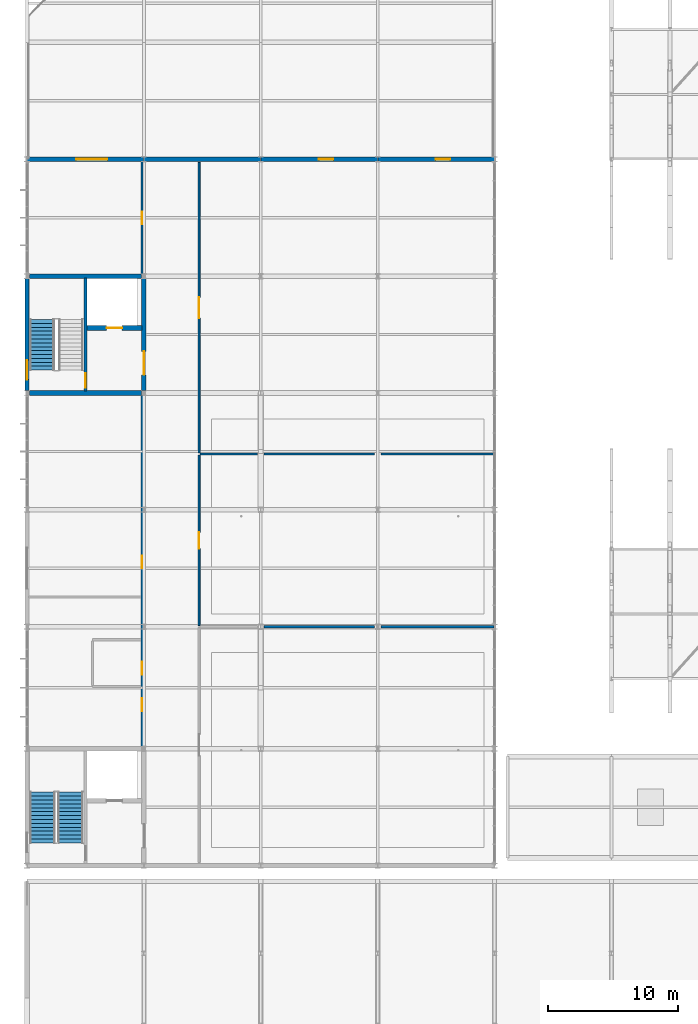
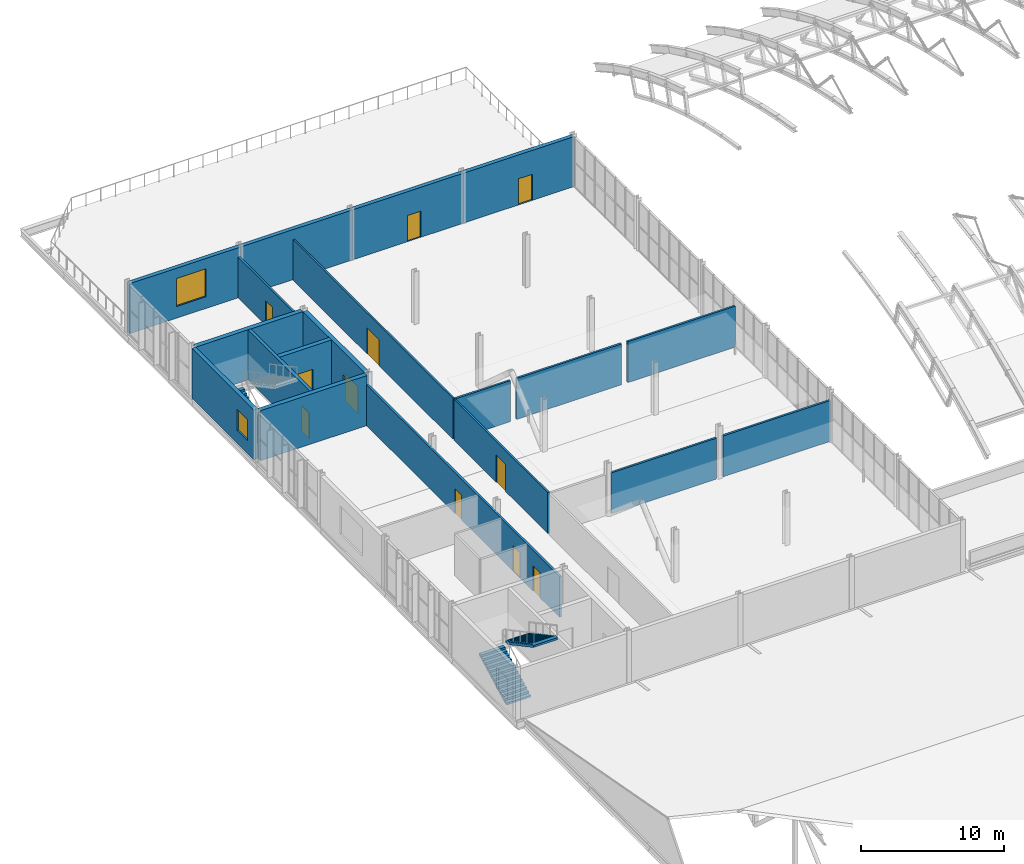
# One storey, part 86 of 103: 19 walls, 11 doors, 3 stair flights, 2 windows, 13 openings, 2 elements without a shape of their own.
"""IFC4 building model written with IfcOpenShell, lengths in metres."""

from ifc_helpers import new_model, si_unit, direction, frame, frame_2d, origin, place, context, subcontext, project, spatial, polyline, rectangle, outline, extrude, material, layer, layer_set, type_object, element, fill, aggregate, save


model = new_model("IFC4")

# Units and contexts
model_context = context("Model", 3, precision=1e-05, world=origin(), true_north=direction((0.0, 1.0)))
body_context = subcontext(model_context, "Body", "Model", "MODEL_VIEW")
ifc_project = project(units=[si_unit("LENGTHUNIT", "METRE"), si_unit("AREAUNIT", "SQUARE_METRE"), si_unit("VOLUMEUNIT", "CUBIC_METRE"), si_unit("PLANEANGLEUNIT", "RADIAN"), si_unit("MASSUNIT", "GRAM", prefix="KILO")], contexts=[model_context])

# Site, building, storey
site_placement = place(None, origin())
site = spatial("IfcSite", under=ifc_project, at=site_placement, CompositionType="ELEMENT")
building_placement = place(site_placement, origin())
building = spatial("IfcBuilding", under=site, at=building_placement, Name="Cazmaro Siding Exhibition Halls", CompositionType="ELEMENT")
storey_placement = place(building_placement, frame((0.0, 0.0, 16.5)))
storey = spatial("IfcBuildingStorey", under=building, at=storey_placement, Name="L03", CompositionType="ELEMENT", Elevation=16.5)

# Wall, opening, window
ifc_material_1 = material(Name="Concrete f'c 45 MPa", Category="concrete")
ifc_layer_1 = layer(ifc_material_1, 0.320068359375)
ifc_layer_set_1 = layer_set([ifc_layer_1], Name="Concrete f'c 45 MPa")
wall_type_1 = type_object("IfcWallType", Name="EW-01", PredefinedType="STANDARD", material=ifc_layer_set_1)
wall_1_placement = place(storey_placement, frame((0.0, 91.181884765625, 0.0), z_axis=(0.0, 0.0, 1.0), x_axis=(0.0, 1.0, 0.0)))
wall_1 = element("IfcWall", 1, at=wall_1_placement, inside=storey, type_object=wall_type_1, Name="West Wing Core Street Wall L03 EW-01 WL-E0295", PredefinedType="STANDARD", context=body_context, shape_type="SweptSolid", body=[
    extrude(rectangle(XDim=8.63623046875, YDim=0.320068359375, at=frame_2d((4.318115234375, 0.0))), origin(), (0.0, 0.0, 1.0), 4.280029296875),
])
opening_1_placement = place(wall_1_placement, frame((0.85009765625, 0.0, 1.10009765625)))
opening_1 = element("IfcOpeningElement", 2, at=opening_1_placement, cuts=wall_1, Name="Opening W-098", PredefinedType="OPENING", context=body_context, shape_type="SweptSolid", body=[
    extrude(rectangle(XDim=1.5, YDim=1.800048828125, at=frame_2d((0.75, 0.89990234375))), frame((0.0, 0.169921875, 0.0), z_axis=(0.0, -1.0, 0.0), x_axis=(1.0, 0.0, 0.0)), (0.0, 0.0, 1.0), 0.340087890625),
])
ifc_material_2 = material(Name="Thermally Broken Aluminum Low-E Window Unit", Category="aluminium")
window_type_1 = type_object("IfcWindowType", Name="WT-01", PartitioningType="SINGLE_PANEL", PredefinedType="WINDOW", material=ifc_material_2)
window_1_placement = place(opening_1_placement, origin())
window_1 = element("IfcWindow", 3, at=window_1_placement, inside=storey, type_object=window_type_1, Name="Window W-098 (WT-01)", OverallHeight=1.800048828125, OverallWidth=1.5, PartitioningType="SINGLE_PANEL", PredefinedType="WINDOW", context=body_context, shape_type="SweptSolid", body=[
    extrude(rectangle(XDim=1.5, YDim=1.800048828125, at=frame_2d((0.75, 0.89990234375))), frame((0.0, 0.030029296875, 0.0), z_axis=(0.0, -1.0, 0.0), x_axis=(1.0, 0.0, 0.0)), (0.0, 0.0, 1.0), 0.06005859375),
])
fill(opening_1, window_1)

wall_2_placement = place(storey_placement, frame((0.014892578125, 109.0, 0.0), z_axis=(0.0, 0.0, 1.0), x_axis=(1.0, 0.0, 0.0)))
wall_2 = element("IfcWall", 4, at=wall_2_placement, inside=storey, type_object=wall_type_1, Name="L03 North Terrace Wall EW-01 WL-E0300", PredefinedType="STANDARD", context=body_context, shape_type="SweptSolid", body=[
    extrude(rectangle(XDim=8.97021484375, YDim=0.320068359375, at=frame_2d((4.485107421875, 0.0))), origin(), (0.0, 0.0, 1.0), 4.280029296875),
])
opening_2_placement = place(wall_2_placement, frame((3.77001953125, 0.0, 1.0)))
opening_2 = element("IfcOpeningElement", 5, at=opening_2_placement, cuts=wall_2, Name="Opening W-099", PredefinedType="OPENING", context=body_context, shape_type="SweptSolid", body=[
    extrude(rectangle(XDim=2.39990234375, YDim=2.39990234375, at=frame_2d((1.199951171875, 1.199951171875))), frame((0.0, 0.169921875, 0.0), z_axis=(0.0, -1.0, 0.0), x_axis=(1.0, 0.0, 0.0)), (0.0, 0.0, 1.0), 0.340087890625),
])
ifc_material_3 = material(Name="Thermally Broken Aluminum Low-E Window Unit", Category="aluminium")
window_type_2 = type_object("IfcWindowType", Name="WT-07", PartitioningType="SINGLE_PANEL", PredefinedType="WINDOW", material=ifc_material_3)
window_2_placement = place(opening_2_placement, origin())
window_2 = element("IfcWindow", 6, at=window_2_placement, inside=storey, type_object=window_type_2, Name="Window W-099 (WT-07)", OverallHeight=2.39990234375, OverallWidth=2.39990234375, PartitioningType="SINGLE_PANEL", PredefinedType="WINDOW", context=body_context, shape_type="SweptSolid", body=[
    extrude(rectangle(XDim=2.39990234375, YDim=2.39990234375, at=frame_2d((1.199951171875, 1.199951171875))), frame((0.0, 0.030029296875, 0.0), z_axis=(0.0, -1.0, 0.0), x_axis=(1.0, 0.0, 0.0)), (0.0, 0.0, 1.0), 0.06005859375),
])
fill(opening_2, window_2)

# Wall
wall_3_placement = place(storey_placement, frame((9.014892578125, 109.0, 0.0), z_axis=(0.0, 0.0, 1.0), x_axis=(1.0, 0.0, 0.0)))
element("IfcWall", 7, at=wall_3_placement, inside=storey, type_object=wall_type_1, Name="L03 North Terrace Wall EW-01 WL-E0301", PredefinedType="STANDARD", context=body_context, shape_type="SweptSolid", body=[
    extrude(rectangle(XDim=8.97021484375, YDim=0.320068359375, at=frame_2d((4.485107421875, 0.0))), origin(), (0.0, 0.0, 1.0), 4.280029296875),
])

# Wall, opening, door
wall_4_placement = place(storey_placement, frame((18.014892578125, 109.0, 0.0), z_axis=(0.0, 0.0, 1.0), x_axis=(1.0, 0.0, 0.0)))
wall_4 = element("IfcWall", 8, at=wall_4_placement, inside=storey, type_object=wall_type_1, Name="L03 North Terrace Wall EW-01 WL-E0302", PredefinedType="STANDARD", context=body_context, shape_type="SweptSolid", body=[
    extrude(rectangle(XDim=8.97021484375, YDim=0.320068359375, at=frame_2d((4.485107421875, 0.0))), origin(), (0.0, 0.0, 1.0), 4.280029296875),
])
opening_3_placement = place(wall_4_placement, frame((4.449951171875, 0.0, 0.0)))
opening_3 = element("IfcOpeningElement", 9, at=opening_3_placement, cuts=wall_4, Name="Opening D-E072", PredefinedType="OPENING", context=body_context, shape_type="SweptSolid", body=[
    extrude(rectangle(XDim=1.1201171875, YDim=2.239990234375, at=frame_2d((0.56005859375, 1.1201171875))), frame((0.0, 0.169921875, 0.0), z_axis=(0.0, -1.0, 0.0), x_axis=(1.0, 0.0, 0.0)), (0.0, 0.0, 1.0), 0.340087890625),
])
ifc_material_4 = material(Name="Anodized Bronze Glazed Entrance Door", Category="aluminium")
door_type_1 = type_object("IfcDoorType", Name="ED-04", OperationType="NOTDEFINED", PredefinedType="DOOR", material=ifc_material_4)
door_1_placement = place(opening_3_placement, origin())
door_1 = element("IfcDoor", 10, at=door_1_placement, inside=storey, type_object=door_type_1, Name="Exterior door D-E072 (ED-04)", OperationType="SINGLE_SWING_RIGHT", OverallHeight=2.239990234375, OverallWidth=1.1201171875, PredefinedType="DOOR", context=body_context, shape_type="SweptSolid", body=[
    extrude(rectangle(XDim=1.1201171875, YDim=2.239990234375, at=frame_2d((0.56005859375, 1.1201171875))), frame((0.0, 0.02490234375, 0.0), z_axis=(0.0, -1.0, 0.0), x_axis=(1.0, 0.0, 0.0)), (0.0, 0.0, 1.0), 0.050048828125),
])
fill(opening_3, door_1)

wall_5_placement = place(storey_placement, frame((27.014892578125, 109.0, 0.0), z_axis=(0.0, 0.0, 1.0), x_axis=(1.0, 0.0, 0.0)))
wall_5 = element("IfcWall", 11, at=wall_5_placement, inside=storey, type_object=wall_type_1, Name="L03 North Terrace Wall EW-01 WL-E0303", PredefinedType="STANDARD", context=body_context, shape_type="SweptSolid", body=[
    extrude(rectangle(XDim=8.97021484375, YDim=0.320068359375, at=frame_2d((4.485107421875, 0.0))), origin(), (0.0, 0.0, 1.0), 4.280029296875),
])
opening_4_placement = place(wall_5_placement, frame((4.449951171875, 0.0, 0.0)))
opening_4 = element("IfcOpeningElement", 12, at=opening_4_placement, cuts=wall_5, Name="Opening D-E073", PredefinedType="OPENING", context=body_context, shape_type="SweptSolid", body=[
    extrude(rectangle(XDim=1.1201171875, YDim=2.239990234375, at=frame_2d((0.56005859375, 1.1201171875))), frame((0.0, 0.169921875, 0.0), z_axis=(0.0, -1.0, 0.0), x_axis=(1.0, 0.0, 0.0)), (0.0, 0.0, 1.0), 0.340087890625),
])
door_2_placement = place(opening_4_placement, origin())
door_2 = element("IfcDoor", 13, at=door_2_placement, inside=storey, type_object=door_type_1, Name="Exterior door D-E073 (ED-04)", OperationType="SINGLE_SWING_RIGHT", OverallHeight=2.239990234375, OverallWidth=1.1201171875, PredefinedType="DOOR", context=body_context, shape_type="SweptSolid", body=[
    extrude(rectangle(XDim=1.1201171875, YDim=2.239990234375, at=frame_2d((0.56005859375, 1.1201171875))), frame((0.0, 0.02490234375, 0.0), z_axis=(0.0, -1.0, 0.0), x_axis=(1.0, 0.0, 0.0)), (0.0, 0.0, 1.0), 0.050048828125),
])
fill(opening_4, door_2)

ifc_material_5 = material(Name="Fire-Rated Gypsum Board on Cold-Formed Steel Studs", Category="steel")
ifc_layer_2 = layer(ifc_material_5, 0.14501953125)
ifc_layer_set_2 = layer_set([ifc_layer_2], Name="Fire-Rated Gypsum Board on Cold-Formed Steel Studs")
wall_type_2 = type_object("IfcWallType", Name="PW-01", PredefinedType="PARTITIONING", material=ifc_layer_set_2)
wall_6_placement = place(storey_placement, frame((13.25, 73.080078125, 0.0), z_axis=(0.0, 0.0, 1.0), x_axis=(0.0, 1.0, 0.0)))
wall_6 = element("IfcWall", 14, at=wall_6_placement, inside=storey, type_object=wall_type_2, Name="West Wing East Corridor Wall L03 PW-01 WL-I0258", PredefinedType="PARTITIONING", context=body_context, shape_type="SweptSolid", body=[
    extrude(rectangle(XDim=13.139892578125, YDim=0.14501953125, at=frame_2d((6.56982421875, 0.0))), origin(), (0.0, 0.0, 1.0), 3.5),
])
opening_5_placement = place(wall_6_placement, frame((5.929931640625, 0.0, 0.0)))
opening_5 = element("IfcOpeningElement", 15, at=opening_5_placement, cuts=wall_6, Name="Opening D-I122", PredefinedType="OPENING", context=body_context, shape_type="SweptSolid", body=[
    extrude(rectangle(XDim=1.280029296875, YDim=2.340087890625, at=frame_2d((0.64013671875, 1.169921875))), frame((0.0, 0.08251953125, 0.0), z_axis=(0.0, -1.0, 0.0), x_axis=(1.0, 0.0, 0.0)), (0.0, 0.0, 1.0), 0.1650390625),
])
ifc_material_6 = material(Name="Fire-Rated Painted Hollow Metal Door", Category="steel")
door_type_2 = type_object("IfcDoorType", Name="ID-14", OperationType="NOTDEFINED", PredefinedType="DOOR", material=ifc_material_6)
door_3_placement = place(opening_5_placement, origin())
door_3 = element("IfcDoor", 16, at=door_3_placement, inside=storey, type_object=door_type_2, Name="Interior door D-I122 (ID-14)", OperationType="SINGLE_SWING_LEFT", OverallHeight=2.340087890625, OverallWidth=1.280029296875, PredefinedType="DOOR", context=body_context, shape_type="SweptSolid", body=[
    extrude(rectangle(XDim=1.280029296875, YDim=2.340087890625, at=frame_2d((0.64013671875, 1.169921875))), frame((0.0, 0.02490234375, 0.0), z_axis=(0.0, -1.0, 0.0), x_axis=(1.0, 0.0, 0.0)), (0.0, 0.0, 1.0), 0.050048828125),
])
fill(opening_5, door_3)

wall_7_placement = place(storey_placement, frame((13.25, 86.3798828125, 0.0), z_axis=(0.0, 0.0, 1.0), x_axis=(0.0, 1.0, 0.0)))
wall_7 = element("IfcWall", 17, at=wall_7_placement, inside=storey, type_object=wall_type_2, Name="West Wing East Corridor Wall L03 PW-01 WL-I0259", PredefinedType="PARTITIONING", context=body_context, shape_type="SweptSolid", body=[
    extrude(rectangle(XDim=22.3701171875, YDim=0.14501953125, at=frame_2d((11.18505859375, 0.0))), origin(), (0.0, 0.0, 1.0), 3.5),
])
opening_6_placement = place(wall_7_placement, frame((10.360107421875, 0.0, 0.0)))
opening_6 = element("IfcOpeningElement", 18, at=opening_6_placement, cuts=wall_7, Name="Opening D-I123", PredefinedType="OPENING", context=body_context, shape_type="SweptSolid", body=[
    extrude(rectangle(XDim=1.64990234375, YDim=2.25, at=frame_2d((0.824951171875, 1.125))), frame((0.0, 0.08251953125, 0.0), z_axis=(0.0, -1.0, 0.0), x_axis=(1.0, 0.0, 0.0)), (0.0, 0.0, 1.0), 0.1650390625),
])
ifc_material_7 = material(Name="Fire-Rated Painted Hollow Metal Door", Category="steel")
door_type_3 = type_object("IfcDoorType", Name="ID-05", OperationType="DOUBLE_DOOR_SINGLE_SWING", PredefinedType="DOOR", material=ifc_material_7)
door_4_placement = place(opening_6_placement, origin())
door_4 = element("IfcDoor", 19, at=door_4_placement, inside=storey, type_object=door_type_3, Name="Interior door D-I123 (ID-05)", OperationType="DOUBLE_DOOR_SINGLE_SWING", OverallHeight=2.25, OverallWidth=1.64990234375, PredefinedType="DOOR", context=body_context, shape_type="SweptSolid", body=[
    extrude(rectangle(XDim=1.64990234375, YDim=2.25, at=frame_2d((0.824951171875, 1.125))), frame((0.0, 0.02490234375, 0.0), z_axis=(0.0, -1.0, 0.0), x_axis=(1.0, 0.0, 0.0)), (0.0, 0.0, 1.0), 0.050048828125),
])
fill(opening_6, door_4)

# Walls
ifc_material_8 = material(Name="Moisture-Resistant Gypsum Board on Acoustic Steel Studs", Category="steel")
ifc_layer_3 = layer(ifc_material_8, 0.1650390625)
ifc_layer_set_3 = layer_set([ifc_layer_3], Name="Moisture-Resistant Gypsum Board on Acoustic Steel Studs")
wall_type_3 = type_object("IfcWallType", Name="PW-02", PredefinedType="PARTITIONING", material=ifc_layer_set_3)
wall_8_placement = place(storey_placement, frame((18.25, 73.0, 0.0), z_axis=(0.0, 0.0, 1.0), x_axis=(1.0, 0.0, 0.0)))
element("IfcWall", 20, at=wall_8_placement, inside=storey, type_object=wall_type_3, Name="West Wing East Room Divider L03 PW-02 WL-I0261", PredefinedType="PARTITIONING", context=body_context, shape_type="SweptSolid", body=[
    extrude(rectangle(XDim=8.5, YDim=0.1650390625, at=frame_2d((4.25, 0.0))), origin(), (0.0, 0.0, 1.0), 3.5),
])
wall_9_placement = place(storey_placement, frame((27.25, 73.0, 0.0), z_axis=(0.0, 0.0, 1.0), x_axis=(1.0, 0.0, 0.0)))
element("IfcWall", 21, at=wall_9_placement, inside=storey, type_object=wall_type_3, Name="West Wing East Room Divider L03 PW-02 WL-I0262", PredefinedType="PARTITIONING", context=body_context, shape_type="SweptSolid", body=[
    extrude(rectangle(XDim=8.68994140625, YDim=0.1650390625, at=frame_2d((4.344970703125, 0.0))), origin(), (0.0, 0.0, 1.0), 3.5),
])
wall_10_placement = place(storey_placement, frame((13.320068359375, 86.300048828125, 0.0), z_axis=(0.0, 0.0, 1.0), x_axis=(1.0, 0.0, 0.0)))
element("IfcWall", 22, at=wall_10_placement, inside=storey, type_object=wall_type_3, Name="West Wing East Room Divider L03 PW-02 WL-I0263", PredefinedType="PARTITIONING", context=body_context, shape_type="SweptSolid", body=[
    extrude(rectangle(XDim=4.429931640625, YDim=0.1650390625, at=frame_2d((2.21484375, 0.0))), origin(), (0.0, 0.0, 1.0), 3.5),
])
wall_11_placement = place(storey_placement, frame((18.25, 86.300048828125, 0.0), z_axis=(0.0, 0.0, 1.0), x_axis=(1.0, 0.0, 0.0)))
element("IfcWall", 23, at=wall_11_placement, inside=storey, type_object=wall_type_3, Name="West Wing East Room Divider L03 PW-02 WL-I0264", PredefinedType="PARTITIONING", context=body_context, shape_type="SweptSolid", body=[
    extrude(rectangle(XDim=8.5, YDim=0.1650390625, at=frame_2d((4.25, 0.0))), origin(), (0.0, 0.0, 1.0), 3.5),
])
wall_12_placement = place(storey_placement, frame((27.25, 86.300048828125, 0.0), z_axis=(0.0, 0.0, 1.0), x_axis=(1.0, 0.0, 0.0)))
element("IfcWall", 24, at=wall_12_placement, inside=storey, type_object=wall_type_3, Name="West Wing East Room Divider L03 PW-02 WL-I0265", PredefinedType="PARTITIONING", context=body_context, shape_type="SweptSolid", body=[
    extrude(rectangle(XDim=8.68994140625, YDim=0.1650390625, at=frame_2d((4.344970703125, 0.0))), origin(), (0.0, 0.0, 1.0), 3.5),
])

# Wall, openings, doors
wall_13_placement = place(storey_placement, frame((8.85009765625, 63.780029296875, 0.0), z_axis=(0.0, 0.0, 1.0), x_axis=(0.0, 1.0, 0.0)))
wall_13 = element("IfcWall", 25, at=wall_13_placement, inside=storey, type_object=wall_type_3, Name="West Wing West Service Wall L03 PW-02 WL-I0266", PredefinedType="PARTITIONING", context=body_context, shape_type="SweptSolid", body=[
    extrude(rectangle(XDim=27.0400390625, YDim=0.1650390625, at=frame_2d((13.52001953125, 0.0))), origin(), (0.0, 0.0, 1.0), 3.5),
])
opening_7_placement = place(wall_13_placement, frame((2.719970703125, 0.0, 0.0)))
opening_7 = element("IfcOpeningElement", 26, at=opening_7_placement, cuts=wall_13, Name="Opening D-I124", PredefinedType="OPENING", context=body_context, shape_type="SweptSolid", body=[
    extrude(rectangle(XDim=0.97998046875, YDim=2.14990234375, at=frame_2d((0.489990234375, 1.074951171875))), frame((0.0, 0.092529296875, 0.0), z_axis=(0.0, -1.0, 0.0), x_axis=(1.0, 0.0, 0.0)), (0.0, 0.0, 1.0), 0.18505859375),
])
opening_8_placement = place(wall_13_placement, frame((5.52001953125, 0.0, 0.0)))
opening_8 = element("IfcOpeningElement", 27, at=opening_8_placement, cuts=wall_13, Name="Opening D-I125", PredefinedType="OPENING", context=body_context, shape_type="SweptSolid", body=[
    extrude(rectangle(XDim=1.02001953125, YDim=2.159912109375, at=frame_2d((0.510009765625, 1.080078125))), frame((0.0, 0.092529296875, 0.0), z_axis=(0.0, -1.0, 0.0), x_axis=(1.0, 0.0, 0.0)), (0.0, 0.0, 1.0), 0.18505859375),
])
opening_9_placement = place(wall_13_placement, frame((13.719970703125, 0.0, 0.0)))
opening_9 = element("IfcOpeningElement", 28, at=opening_9_placement, cuts=wall_13, Name="Opening D-I126", PredefinedType="OPENING", context=body_context, shape_type="SweptSolid", body=[
    extrude(rectangle(XDim=0.949951171875, YDim=2.1201171875, at=frame_2d((0.47509765625, 1.06005859375))), frame((0.0, 0.092529296875, 0.0), z_axis=(0.0, -1.0, 0.0), x_axis=(1.0, 0.0, 0.0)), (0.0, 0.0, 1.0), 0.18505859375),
])
ifc_material_9 = material(Name="Fire-Rated Painted Hollow Metal Door", Category="steel")
door_type_4 = type_object("IfcDoorType", Name="ID-03", OperationType="NOTDEFINED", PredefinedType="DOOR", material=ifc_material_9)
door_5_placement = place(opening_7_placement, origin())
door_5 = element("IfcDoor", 29, at=door_5_placement, inside=storey, type_object=door_type_4, Name="Interior door D-I124 (ID-03)", OperationType="SINGLE_SWING_RIGHT", OverallHeight=2.14990234375, OverallWidth=0.97998046875, PredefinedType="DOOR", context=body_context, shape_type="SweptSolid", body=[
    extrude(rectangle(XDim=0.97998046875, YDim=2.14990234375, at=frame_2d((0.489990234375, 1.074951171875))), frame((0.0, 0.02490234375, 0.0), z_axis=(0.0, -1.0, 0.0), x_axis=(1.0, 0.0, 0.0)), (0.0, 0.0, 1.0), 0.050048828125),
])
fill(opening_7, door_5)
ifc_material_10 = material(Name="Fire-Rated Painted Hollow Metal Door", Category="steel")
door_type_5 = type_object("IfcDoorType", Name="ID-04", OperationType="NOTDEFINED", PredefinedType="DOOR", material=ifc_material_10)
door_6_placement = place(opening_9_placement, origin())
door_6 = element("IfcDoor", 30, at=door_6_placement, inside=storey, type_object=door_type_5, Name="Interior door D-I126 (ID-04)", OperationType="SINGLE_SWING_RIGHT", OverallHeight=2.1201171875, OverallWidth=0.949951171875, PredefinedType="DOOR", context=body_context, shape_type="SweptSolid", body=[
    extrude(rectangle(XDim=0.949951171875, YDim=2.1201171875, at=frame_2d((0.47509765625, 1.06005859375))), frame((0.0, 0.02490234375, 0.0), z_axis=(0.0, -1.0, 0.0), x_axis=(1.0, 0.0, 0.0)), (0.0, 0.0, 1.0), 0.050048828125),
])
fill(opening_9, door_6)
ifc_material_11 = material(Name="Fire-Rated Painted Hollow Metal Door", Category="steel")
door_type_6 = type_object("IfcDoorType", Name="ID-07", OperationType="NOTDEFINED", PredefinedType="DOOR", material=ifc_material_11)
door_7_placement = place(opening_8_placement, origin())
door_7 = element("IfcDoor", 31, at=door_7_placement, inside=storey, type_object=door_type_6, Name="Interior door D-I125 (ID-07)", OperationType="SINGLE_SWING_LEFT", OverallHeight=2.159912109375, OverallWidth=1.02001953125, PredefinedType="DOOR", context=body_context, shape_type="SweptSolid", body=[
    extrude(rectangle(XDim=1.02001953125, YDim=2.159912109375, at=frame_2d((0.510009765625, 1.080078125))), frame((0.0, 0.02490234375, 0.0), z_axis=(0.0, -1.0, 0.0), x_axis=(1.0, 0.0, 0.0)), (0.0, 0.0, 1.0), 0.050048828125),
])
fill(opening_8, door_7)

# Wall, opening, door
wall_14_placement = place(storey_placement, frame((8.85009765625, 100.179931640625, 0.0), z_axis=(0.0, 0.0, 1.0), x_axis=(0.0, 1.0, 0.0)))
wall_14 = element("IfcWall", 32, at=wall_14_placement, inside=storey, type_object=wall_type_3, Name="West Wing West Service Wall L03 PW-02 WL-I0267", PredefinedType="PARTITIONING", context=body_context, shape_type="SweptSolid", body=[
    extrude(rectangle(XDim=8.650146484375, YDim=0.1650390625, at=frame_2d((4.3251953125, 0.0))), origin(), (0.0, 0.0, 1.0), 3.5),
])
opening_10_placement = place(wall_14_placement, frame((3.824951171875, 0.0, 0.0)))
opening_10 = element("IfcOpeningElement", 33, at=opening_10_placement, cuts=wall_14, Name="Opening D-I127", PredefinedType="OPENING", context=body_context, shape_type="SweptSolid", body=[
    extrude(rectangle(XDim=0.949951171875, YDim=2.1201171875, at=frame_2d((0.47509765625, 1.06005859375))), frame((0.0, 0.092529296875, 0.0), z_axis=(0.0, -1.0, 0.0), x_axis=(1.0, 0.0, 0.0)), (0.0, 0.0, 1.0), 0.18505859375),
])
door_8_placement = place(opening_10_placement, origin())
door_8 = element("IfcDoor", 34, at=door_8_placement, inside=storey, type_object=door_type_5, Name="Interior door D-I127 (ID-04)", OperationType="SINGLE_SWING_LEFT", OverallHeight=2.1201171875, OverallWidth=0.949951171875, PredefinedType="DOOR", context=body_context, shape_type="SweptSolid", body=[
    extrude(rectangle(XDim=0.949951171875, YDim=2.1201171875, at=frame_2d((0.47509765625, 1.06005859375))), frame((0.0, 0.02490234375, 0.0), z_axis=(0.0, -1.0, 0.0), x_axis=(1.0, 0.0, 0.0)), (0.0, 0.0, 1.0), 0.050048828125),
])
fill(opening_10, door_8)

ifc_material_12 = material(Name="Concrete f'c 50 MPa", Category="concrete")
ifc_layer_4 = layer(ifc_material_12, 0.360107421875)
ifc_layer_set_4 = layer_set([ifc_layer_4], Name="Concrete f'c 50 MPa")
wall_type_4 = type_object("IfcWallType", Name="SW-01", PredefinedType="SHEAR", material=ifc_layer_set_4)
wall_15_placement = place(storey_placement, frame((9.0, 91.18310546875, 0.0), z_axis=(0.0, 0.0, 1.0), x_axis=(0.0, 1.0, 0.0)))
wall_15 = element("IfcWall", 35, at=wall_15_placement, inside=storey, type_object=wall_type_4, Name="Core C8 East Shear Wall SW-01 WL-I0114", PredefinedType="SHEAR", context=body_context, shape_type="SweptSolid", body=[
    extrude(rectangle(XDim=8.6337890625, YDim=0.360107421875, at=frame_2d((4.31689453125, 0.0))), origin(), (0.0, 0.0, 1.0), 4.280029296875),
])
opening_11_placement = place(wall_15_placement, frame((1.217041015625, 0.0, 0.0)))
opening_11 = element("IfcOpeningElement", 36, at=opening_11_placement, cuts=wall_15, Name="Opening D-I056", PredefinedType="OPENING", context=body_context, shape_type="SweptSolid", body=[
    extrude(rectangle(XDim=1.800048828125, YDim=2.300048828125, at=frame_2d((0.89990234375, 1.14990234375))), frame((0.0, 0.18994140625, 0.0), z_axis=(0.0, -1.0, 0.0), x_axis=(1.0, 0.0, 0.0)), (0.0, 0.0, 1.0), 0.380126953125),
])
ifc_material_13 = material(Name="Fire-Rated Painted Hollow Metal Door", Category="steel")
door_type_7 = type_object("IfcDoorType", Name="ID-02", OperationType="DOUBLE_DOOR_SINGLE_SWING", PredefinedType="DOOR", material=ifc_material_13)
door_9_placement = place(opening_11_placement, origin())
door_9 = element("IfcDoor", 37, at=door_9_placement, inside=storey, type_object=door_type_7, Name="Interior door D-I056 (ID-02)", OperationType="DOUBLE_DOOR_SINGLE_SWING", OverallHeight=2.300048828125, OverallWidth=1.800048828125, PredefinedType="DOOR", context=body_context, shape_type="SweptSolid", body=[
    extrude(rectangle(XDim=1.800048828125, YDim=2.300048828125, at=frame_2d((0.89990234375, 1.14990234375))), frame((0.0, 0.02490234375, 0.0), z_axis=(0.0, -1.0, 0.0), x_axis=(1.0, 0.0, 0.0)), (0.0, 0.0, 1.0), 0.050048828125),
])
fill(opening_11, door_9)

# Walls
for number, where, z_axis, x_axis, name in (
    (38, (0.19091796875, 91.0, 0.0), (0.0, 0.0, 1.0), (1.0, 0.0, 0.0), "Core C8 South Shear Wall SW-01 WL-I0115"),
    (39, (0.19091796875, 100.0, 0.0), (0.0, 0.0, 1.0), (1.0, 0.0, 0.0), "Core C8 North Shear Wall SW-01 WL-I0116"),
):
    element("IfcWall", number, at=place(storey_placement, frame(where, z_axis=z_axis, x_axis=x_axis)), inside=storey, type_object=wall_type_4, Name=name, PredefinedType="SHEAR", context=body_context, shape_type="SweptSolid", body=[
        extrude(rectangle(XDim=8.6181640625, YDim=0.360107421875, at=frame_2d((4.30908203125, 0.0))), origin(), (0.0, 0.0, 1.0), 4.280029296875),
    ])

# Wall, opening, door
wall_16_placement = place(storey_placement, frame((4.614990234375, 96.0, 0.0), z_axis=(0.0, 0.0, 1.0), x_axis=(1.0, 0.0, 0.0)))
wall_16 = element("IfcWall", 40, at=wall_16_placement, inside=storey, type_object=wall_type_4, Name="Core C8 Lift Shaft Wall SW-01 WL-I0118", PredefinedType="SHEAR", context=body_context, shape_type="SweptSolid", body=[
    extrude(rectangle(XDim=4.219970703125, YDim=0.360107421875, at=frame_2d((2.10986328125, 0.0))), origin(), (0.0, 0.0, 1.0), 4.280029296875),
])
opening_12_placement = place(wall_16_placement, frame((1.510009765625, 0.0, 0.0)))
opening_12 = element("IfcOpeningElement", 41, at=opening_12_placement, cuts=wall_16, Name="Opening LD-028", PredefinedType="OPENING", context=body_context, shape_type="SweptSolid", body=[
    extrude(rectangle(XDim=1.199951171875, YDim=2.300048828125, at=frame_2d((0.60009765625, 1.14990234375))), frame((0.0, 0.18994140625, 0.0), z_axis=(0.0, -1.0, 0.0), x_axis=(1.0, 0.0, 0.0)), (0.0, 0.0, 1.0), 0.380126953125),
])
ifc_material_14 = material(Name="Stainless Steel Elevator Landing Door", Category="steel")
door_type_8 = type_object("IfcDoorType", Name="LD-01", OperationType="SLIDING_TO_LEFT", PredefinedType="DOOR", material=ifc_material_14)
door_10_placement = place(opening_12_placement, origin())
door_10 = element("IfcDoor", 42, at=door_10_placement, inside=storey, type_object=door_type_8, Name="Interior door LD-028 (LD-01)", OperationType="SLIDING_TO_RIGHT", OverallHeight=2.300048828125, OverallWidth=1.199951171875, PredefinedType="DOOR", context=body_context, shape_type="SweptSolid", body=[
    extrude(rectangle(XDim=1.199951171875, YDim=2.300048828125, at=frame_2d((0.60009765625, 1.14990234375))), frame((0.0, 0.02490234375, 0.0), z_axis=(0.0, -1.0, 0.0), x_axis=(1.0, 0.0, 0.0)), (0.0, 0.0, 1.0), 0.050048828125),
])
fill(opening_12, door_10)

ifc_material_15 = material(Name="Concrete f'c 50 MPa", Category="concrete")
ifc_layer_5 = layer(ifc_material_15, 0.25)
ifc_layer_set_5 = layer_set([ifc_layer_5], Name="Concrete f'c 50 MPa")
wall_type_5 = type_object("IfcWallType", Name="SW-02", PredefinedType="SHEAR", material=ifc_layer_set_5)
wall_17_placement = place(storey_placement, frame((4.5, 91.1650390625, 0.0), z_axis=(0.0, 0.0, 1.0), x_axis=(0.0, 1.0, 0.0)))
wall_17 = element("IfcWall", 43, at=wall_17_placement, inside=storey, type_object=wall_type_5, Name="Core C8 Stair-Lobby Divider SW-02 WL-I0117", PredefinedType="SHEAR", context=body_context, shape_type="SweptSolid", body=[
    extrude(rectangle(XDim=8.669921875, YDim=0.25, at=frame_2d((4.3349609375, 0.0))), origin(), (0.0, 0.0, 1.0), 4.280029296875),
])
opening_13_placement = place(wall_17_placement, frame((0.25, 0.0, 0.0)))
opening_13 = element("IfcOpeningElement", 44, at=opening_13_placement, cuts=wall_17, Name="Opening D-I055", PredefinedType="OPENING", context=body_context, shape_type="SweptSolid", body=[
    extrude(rectangle(XDim=1.10009765625, YDim=2.199951171875, at=frame_2d((0.550048828125, 1.10009765625))), frame((0.0, 0.135009765625, 0.0), z_axis=(0.0, -1.0, 0.0), x_axis=(1.0, 0.0, 0.0)), (0.0, 0.0, 1.0), 0.27001953125),
])
ifc_material_16 = material(Name="Fire-Rated Painted Hollow Metal Door", Category="steel")
door_type_9 = type_object("IfcDoorType", Name="ID-01", OperationType="NOTDEFINED", PredefinedType="DOOR", material=ifc_material_16)
door_11_placement = place(opening_13_placement, origin())
door_11 = element("IfcDoor", 45, at=door_11_placement, inside=storey, type_object=door_type_9, Name="Interior door D-I055 (ID-01)", OperationType="SINGLE_SWING_RIGHT", OverallHeight=2.199951171875, OverallWidth=1.10009765625, PredefinedType="DOOR", context=body_context, shape_type="SweptSolid", body=[
    extrude(rectangle(XDim=1.10009765625, YDim=2.199951171875, at=frame_2d((0.550048828125, 1.10009765625))), frame((0.0, 0.02490234375, 0.0), z_axis=(0.0, -1.0, 0.0), x_axis=(1.0, 0.0, 0.0)), (0.0, 0.0, 1.0), 0.050048828125),
])
fill(opening_13, door_11)

# Stair, stair flights
ifc_material_17 = material(Name="Concrete f'c 40 MPa", Category="concrete")
stair_type_1 = type_object("IfcStairType", Name="STT-16", PredefinedType="TWO_STRAIGHT_RUN_STAIR", material=ifc_material_17)
stair_1_placement = place(storey_placement, origin())
stair_1 = element("IfcStair", 46, at=stair_1_placement, inside=storey, type_object=stair_type_1, Name="Core C7 Exit Stair L03-L04 ST-16", PredefinedType="TWO_STRAIGHT_RUN_STAIR")
ifc_material_18 = material(Name="Concrete f'c 40 MPa", Category="concrete")
stair_flight_type_1 = type_object("IfcStairFlightType", Name="STF-16", PredefinedType="STRAIGHT", material=ifc_material_18)
stair_flight_1_placement = place(storey_placement, frame((1.205078125, 56.360107421875, 0.0), z_axis=(0.0, 0.0, 1.0), x_axis=(0.0, 1.0, 0.0)))
stair_flight_1 = element("IfcStairFlight", 47, at=stair_flight_1_placement, type_object=stair_flight_type_1, Name="ST-16 flight 1", NumberOfRisers=14, NumberOfTreads=13, PredefinedType="STRAIGHT", RiserHeight=0.16071, TreadLength=0.3, context=body_context, shape_type="SweptSolid", body=[
    extrude(outline(polyline([(0.0, 0.0), (0.0, 0.16064453125), (0.300048828125, 0.16064453125), (0.300048828125, 0.321533203125), (0.60009765625, 0.321533203125), (0.60009765625, 0.482177734375), (0.89990234375, 0.482177734375), (0.89990234375, 0.642822265625), (1.199951171875, 0.642822265625), (1.199951171875, 0.803466796875), (1.5, 0.803466796875), (1.5, 0.96435546875), (1.800048828125, 0.96435546875), (1.800048828125, 1.125), (2.10009765625, 1.125), (2.10009765625, 1.28564453125), (2.39990234375, 1.28564453125), (2.39990234375, 1.4462890625), (2.699951171875, 1.4462890625), (2.699951171875, 1.607177734375), (3.0, 1.607177734375), (3.0, 1.767822265625), (3.300048828125, 1.767822265625), (3.300048828125, 1.928466796875), (3.60009765625, 1.928466796875), (3.60009765625, 2.089111328125), (3.89990234375, 2.089111328125), (3.89990234375, 2.25), (3.89990234375, 1.90771484375), (0.338623046875, 0.0), (0.0, 0.0)])), frame((0.0, 0.97998046875, 0.0), z_axis=(0.0, -1.0, 0.0), x_axis=(1.0, 0.0, 0.0)), (0.0, 0.0, 1.0), 1.9599609375),
])
stair_flight_2_placement = place(storey_placement, frame((3.35009765625, 60.260009765625, 2.25), z_axis=(0.0, 0.0, 1.0), x_axis=(0.0, -1.0, 0.0)))
stair_flight_2 = element("IfcStairFlight", 48, at=stair_flight_2_placement, type_object=stair_flight_type_1, Name="ST-16 flight 2", NumberOfRisers=14, NumberOfTreads=13, PredefinedType="STRAIGHT", RiserHeight=0.16071, TreadLength=0.3, context=body_context, shape_type="SweptSolid", body=[
    extrude(outline(polyline([(0.0, 0.0), (0.0, 0.16064453125), (0.300048828125, 0.16064453125), (0.300048828125, 0.321533203125), (0.60009765625, 0.321533203125), (0.60009765625, 0.482177734375), (0.89990234375, 0.482177734375), (0.89990234375, 0.642822265625), (1.199951171875, 0.642822265625), (1.199951171875, 0.803466796875), (1.5, 0.803466796875), (1.5, 0.96435546875), (1.800048828125, 0.96435546875), (1.800048828125, 1.125), (2.10009765625, 1.125), (2.10009765625, 1.28564453125), (2.39990234375, 1.28564453125), (2.39990234375, 1.4462890625), (2.699951171875, 1.4462890625), (2.699951171875, 1.607177734375), (3.0, 1.607177734375), (3.0, 1.767822265625), (3.300048828125, 1.767822265625), (3.300048828125, 1.928466796875), (3.60009765625, 1.928466796875), (3.60009765625, 2.089111328125), (3.89990234375, 2.089111328125), (3.89990234375, 2.25), (3.89990234375, 1.90771484375), (0.338623046875, 0.0), (0.0, 0.0)])), frame((0.0, 0.97998046875, 0.0), z_axis=(0.0, -1.0, 0.0), x_axis=(1.0, 0.0, 0.0)), (0.0, 0.0, 1.0), 1.9599609375),
])
aggregate(stair_1, [stair_flight_1, stair_flight_2])

# Stair, stair flight
ifc_material_19 = material(Name="Concrete f'c 40 MPa", Category="concrete")
stair_type_2 = type_object("IfcStairType", Name="STT-21", PredefinedType="TWO_STRAIGHT_RUN_STAIR", material=ifc_material_19)
stair_2_placement = place(storey_placement, origin())
stair_2 = element("IfcStair", 49, at=stair_2_placement, inside=storey, type_object=stair_type_2, Name="Core C8 Exit Stair L03-L04 ST-21", PredefinedType="TWO_STRAIGHT_RUN_STAIR")
ifc_material_20 = material(Name="Concrete f'c 40 MPa", Category="concrete")
stair_flight_type_2 = type_object("IfcStairFlightType", Name="STF-21", PredefinedType="STRAIGHT", material=ifc_material_20)
stair_flight_3_placement = place(storey_placement, frame((1.169921875, 92.760009765625, 0.0), z_axis=(0.0, 0.0, 1.0), x_axis=(0.0, 1.0, 0.0)))
stair_flight_3 = element("IfcStairFlight", 50, at=stair_flight_3_placement, type_object=stair_flight_type_2, Name="ST-21 flight 1", NumberOfRisers=14, NumberOfTreads=13, PredefinedType="STRAIGHT", RiserHeight=0.16071, TreadLength=0.3, context=body_context, shape_type="SweptSolid", body=[
    extrude(outline(polyline([(0.0, 0.0), (0.0, 0.16064453125), (0.300048828125, 0.16064453125), (0.300048828125, 0.321533203125), (0.60009765625, 0.321533203125), (0.60009765625, 0.482177734375), (0.89990234375, 0.482177734375), (0.89990234375, 0.642822265625), (1.199951171875, 0.642822265625), (1.199951171875, 0.803466796875), (1.5, 0.803466796875), (1.5, 0.96435546875), (1.800048828125, 0.96435546875), (1.800048828125, 1.125), (2.10009765625, 1.125), (2.10009765625, 1.28564453125), (2.39990234375, 1.28564453125), (2.39990234375, 1.4462890625), (2.699951171875, 1.4462890625), (2.699951171875, 1.607177734375), (3.0, 1.607177734375), (3.0, 1.767822265625), (3.300048828125, 1.767822265625), (3.300048828125, 1.928466796875), (3.60009765625, 1.928466796875), (3.60009765625, 2.089111328125), (3.89990234375, 2.089111328125), (3.89990234375, 2.25), (3.89990234375, 1.90771484375), (0.338623046875, 0.0), (0.0, 0.0)])), frame((0.0, 0.94482421875, 0.0), z_axis=(0.0, -1.0, 0.0), x_axis=(1.0, 0.0, 0.0)), (0.0, 0.0, 1.0), 1.889892578125),
])
aggregate(stair_2, [stair_flight_3])

save(model, "model.ifc")
